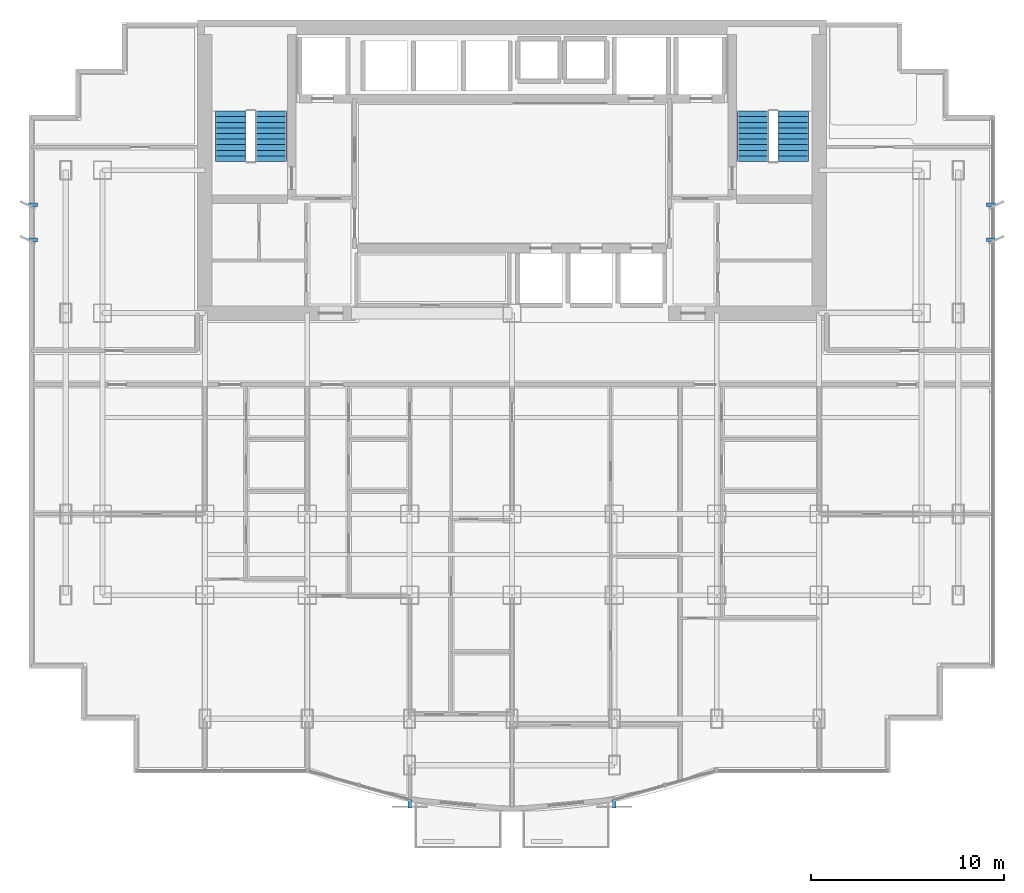
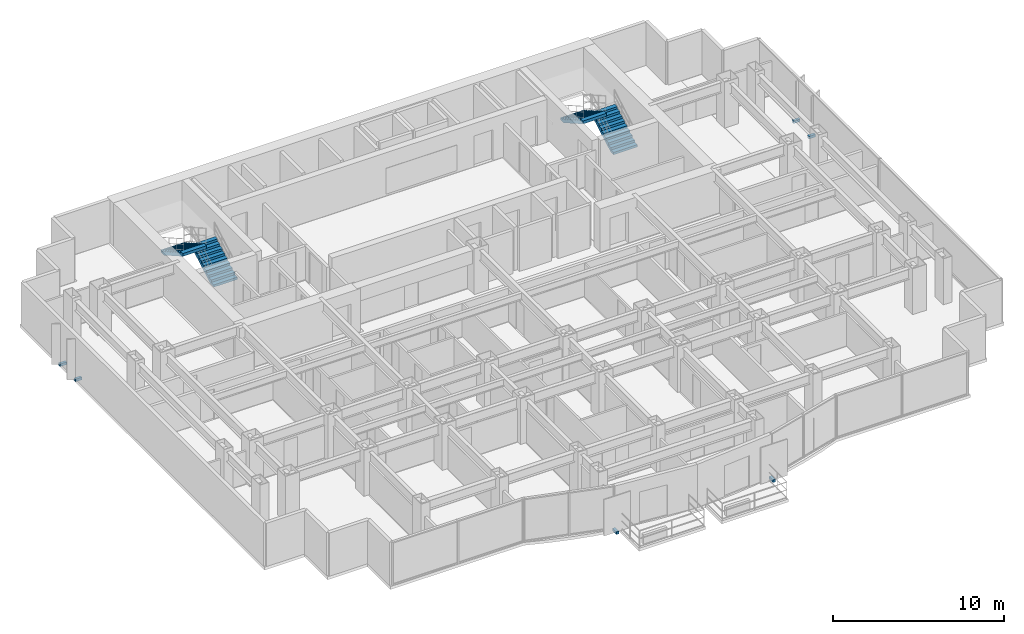
# One storey, part 10 of 12: 6 discrete accessories, 4 stair flights, 2 elements without a shape of their own.
"""IFC4 building model written with IfcOpenShell, lengths in metres."""

import ifcopenshell
import ifcopenshell.guid

model = None  # the IFC model being written
_history = None  # IfcOwnerHistory: only IFC2X3 demands one
_inside = {}  # id of a spatial element -> (the spatial element, [elements in it])
_under = {}  # id of a project, library or spatial element -> (it, [spatial elements below it])
_declared = {}  # id of a project -> (the project, [libraries it declares])
_typed = {}  # id of a type object -> (the type object, [elements of that type])
_made_of = {}  # id of a material, layer set ... -> (it, [elements and type objects made of it])


def new_model(schema):
    """Start an empty IFC model of exactly this schema.

    Asked for "IFC4X3", IfcOpenShell would pick the latest addendum, in which some entities
    have other attributes; the version numbers below select the first issue.
    IFC2X3 requires an IfcOwnerHistory on every rooted entity: one is made here for all.
    """
    global model, _history
    if schema == "IFC4X3":
        model = ifcopenshell.file(schema_version=(4, 3, 0, 0))
    else:
        model = ifcopenshell.file(schema=schema)
    _inside.clear()
    _under.clear()
    _declared.clear()
    _typed.clear()
    _made_of.clear()
    _history = None
    if model.schema == "IFC2X3":
        org = make("IfcOrganization", Name="unknown")
        user = make(
            "IfcPersonAndOrganization",
            ThePerson=make("IfcPerson", FamilyName="unknown"),
            TheOrganization=org,
        )
        app = make(
            "IfcApplication",
            ApplicationDeveloper=org,
            Version="unknown",
            ApplicationFullName="unknown",
            ApplicationIdentifier="unknown",
        )
        _history = make(
            "IfcOwnerHistory",
            OwningUser=user,
            OwningApplication=app,
            ChangeAction="ADDED",
            CreationDate=0,
        )
    return model


def make(cls, **values):
    """One entity of the class cls with the attributes given. An attribute that is None is left unset."""
    return model.create_entity(
        cls, **{name: value for name, value in values.items() if value is not None}
    )


def rooted(cls, **values):
    """An entity with a GlobalId (a new one), such as an element, a storey or a relation."""
    return make(cls, GlobalId=ifcopenshell.guid.new(), OwnerHistory=_history, **values)


def si_unit(unit_type, name, prefix=None):
    """IfcSIUnit, for example si_unit("LENGTHUNIT", "METRE", prefix="MILLI")."""
    return make("IfcSIUnit", UnitType=unit_type, Prefix=prefix, Name=name)


def assignment(units):
    """IfcUnitAssignment: the units of a project."""
    return None if units is None else make("IfcUnitAssignment", Units=units)


def point(xyz):
    """IfcCartesianPoint."""
    return None if xyz is None else make("IfcCartesianPoint", Coordinates=xyz)


def direction(xyz):
    """IfcDirection."""
    return None if xyz is None else make("IfcDirection", DirectionRatios=xyz)


def frame(location, z_axis=None, x_axis=None):
    """IfcAxis2Placement3D, a coordinate frame: its origin and axes. An axis left out is left unset."""
    return make(
        "IfcAxis2Placement3D",
        Location=point(location),
        Axis=direction(z_axis),
        RefDirection=direction(x_axis),
    )


def frame_2d(location, x_axis=None):
    """IfcAxis2Placement2D, a coordinate frame in the plane: its origin and x axis."""
    return make(
        "IfcAxis2Placement2D", Location=point(location), RefDirection=direction(x_axis)
    )


def origin():
    """The frame at (0, 0, 0) with its axes left unset."""
    return frame((0.0, 0.0, 0.0))


def origin_2d():
    """The frame at (0, 0) in the plane with its x axis left unset."""
    return frame_2d((0.0, 0.0))


def place(relative_to, where):
    """IfcLocalPlacement: puts the frame where relative to a parent placement (None: the world)."""
    return make(
        "IfcLocalPlacement", PlacementRelTo=relative_to, RelativePlacement=where
    )


def context(
    kind, dimensions, precision=None, world=None, true_north=None, identifier=None
):
    """IfcGeometricRepresentationContext, for example the 3D "Model" context."""
    return make(
        "IfcGeometricRepresentationContext",
        ContextIdentifier=identifier,
        ContextType=kind,
        CoordinateSpaceDimension=dimensions,
        Precision=precision,
        WorldCoordinateSystem=world,
        TrueNorth=true_north,
    )


def subcontext(parent, identifier, kind, view, scale=None):
    """IfcGeometricRepresentationSubContext, for example "Body" below "Model"."""
    return make(
        "IfcGeometricRepresentationSubContext",
        ContextIdentifier=identifier,
        ContextType=kind,
        ParentContext=parent,
        TargetScale=scale,
        TargetView=view,
    )


def project(units=None, contexts=None):
    """IfcProject with its units and contexts."""
    return rooted(
        "IfcProject",
        Name="project",
        RepresentationContexts=contexts,
        UnitsInContext=assignment(units),
    )


def spatial(cls, under=None, at=None, **own):
    """A site, building, storey or space (cls), placed at a placement, below another one or the project."""
    s = rooted(cls, ObjectPlacement=at, **own)
    if under is not None:
        _under.setdefault(under.id(), (under, []))[1].append(s)
    return s


def polyline(points):
    """IfcPolyline through the points."""
    return make("IfcPolyline", Points=[point(p) for p in points])


def profile(cls, at=None, kind="AREA", **sizes):
    """A parametric profile (cls). Its sizes go by their IFC names, for example OverallWidth=200.0."""
    return make(cls, ProfileType=kind, Position=at, **sizes)


def rectangle(**sizes):
    """IfcRectangleProfileDef."""
    return profile("IfcRectangleProfileDef", **sizes)


def outline(outer, holes=None, kind="AREA"):
    """IfcArbitraryClosedProfileDef: a profile drawn as a closed curve; with holes, ...WithVoids."""
    if holes is None:
        return make("IfcArbitraryClosedProfileDef", ProfileType=kind, OuterCurve=outer)
    return make(
        "IfcArbitraryProfileDefWithVoids",
        ProfileType=kind,
        OuterCurve=outer,
        InnerCurves=holes,
    )


def extrude(swept, where, along, depth):
    """IfcExtrudedAreaSolid: the profile swept, set in the frame where, extruded along a direction by depth."""
    return make(
        "IfcExtrudedAreaSolid",
        SweptArea=swept,
        Position=where,
        ExtrudedDirection=direction(along),
        Depth=depth,
    )


def shape(context_of_items, identifier, shape_type, items):
    """IfcShapeRepresentation: the items that make up one representation, for example the "Body"."""
    return make(
        "IfcShapeRepresentation",
        ContextOfItems=context_of_items,
        RepresentationIdentifier=identifier,
        RepresentationType=shape_type,
        Items=items,
    )


def source(mapping_origin, context_of_items, identifier, shape_type, items):
    """IfcRepresentationMap: a shape defined once, which mapped items show again and again."""
    return make(
        "IfcRepresentationMap",
        MappingOrigin=mapping_origin,
        MappedRepresentation=shape(context_of_items, identifier, shape_type, items),
    )


def transform(
    local_origin,
    x_axis=None,
    y_axis=None,
    z_axis=None,
    scale=None,
    scale2=None,
    scale3=None,
    uniform=True,
):
    """IfcCartesianTransformationOperator3D, or its non-uniform kind. x_axis, y_axis, z_axis: its Axis1, 2, 3."""
    if uniform:
        return make(
            "IfcCartesianTransformationOperator3D",
            Axis1=direction(x_axis),
            Axis2=direction(y_axis),
            LocalOrigin=point(local_origin),
            Scale=scale,
            Axis3=direction(z_axis),
        )
    return make(
        "IfcCartesianTransformationOperator3DnonUniform",
        Axis1=direction(x_axis),
        Axis2=direction(y_axis),
        LocalOrigin=point(local_origin),
        Scale=scale,
        Axis3=direction(z_axis),
        Scale2=scale2,
        Scale3=scale3,
    )


def mapped(mapping_source, mapping_target):
    """IfcMappedItem: shows the shape of a source again, moved by a transform."""
    return make(
        "IfcMappedItem", MappingSource=mapping_source, MappingTarget=mapping_target
    )


def material(Name=None, Category=None):
    """IfcMaterial."""
    return make("IfcMaterial", Name=Name, Category=Category)


def made_of(thing, what):
    """Note that an element or type object is made of a material, layer set ...; save() writes the relation."""
    if what is not None:
        _made_of.setdefault(what.id(), (what, []))[1].append(thing)
    return thing


def type_object(cls, material=None, **own):
    """A type object (cls), such as IfcWallType, which elements share."""
    return made_of(rooted(cls, **own), material)


def element(
    cls,
    number,
    at=None,
    inside=None,
    cuts=None,
    type_object=None,
    material=None,
    context=None,
    identifier="Body",
    shape_type=None,
    held_by="IfcProductDefinitionShape",
    body=None,
    shapes=None,
    **own,
):
    """One element of the class cls, such as IfcWall. Its Tag is "e" and its number.

    at: its placement. inside: the storey or other place that contains it. cuts: it is an
    opening in that element (IfcRelVoidsElement). A single representation is given by context,
    identifier, shape_type and body (its items); several are given by shapes. held_by: the class
    of the entity that holds the representations. save() writes the other relations.
    """
    e = rooted(cls, Tag="e%d" % number, ObjectPlacement=at, **own)
    if body is not None:
        shapes = [shape(context, identifier, shape_type, body)]
    if shapes is not None:
        e.Representation = make(held_by, Representations=shapes)
    if inside is not None:
        _inside.setdefault(inside.id(), (inside, []))[1].append(e)
    if cuts is not None:
        rooted(
            "IfcRelVoidsElement", RelatingBuildingElement=cuts, RelatedOpeningElement=e
        )
    if type_object is not None:
        _typed.setdefault(type_object.id(), (type_object, []))[1].append(e)
    return made_of(e, material)


def aggregate(whole, parts):
    """IfcRelAggregates: a whole, such as a stair, and the parts it consists of."""
    return rooted("IfcRelAggregates", RelatingObject=whole, RelatedObjects=parts)


def save(model, path):
    """Write the relations noted so far, then the file.

    IfcRelAggregates (storeys below a building ...), IfcRelContainedInSpatialStructure (elements
    in a storey), IfcRelDefinesByType, IfcRelAssociatesMaterial and IfcRelDeclares: one each for
    every whole, place, type object, material and project.
    """
    for whole, parts in _under.values():
        aggregate(whole, parts)
    for where, things in _inside.values():
        rooted(
            "IfcRelContainedInSpatialStructure",
            RelatedElements=things,
            RelatingStructure=where,
        )
    for kind, things in _typed.values():
        rooted("IfcRelDefinesByType", RelatedObjects=things, RelatingType=kind)
    for what, things in _made_of.values():
        rooted("IfcRelAssociatesMaterial", RelatedObjects=things, RelatingMaterial=what)
    for by, libraries in _declared.values():
        rooted("IfcRelDeclares", RelatingContext=by, RelatedDefinitions=libraries)
    model.write(path)


model = new_model("IFC4")

# Units and contexts
model_context = context("Model", 3, precision=1e-05, world=origin(), true_north=direction((0.0, 1.0)))
body_context = subcontext(model_context, "Body", "Model", "MODEL_VIEW")
ifc_project = project(units=[si_unit("LENGTHUNIT", "METRE"), si_unit("AREAUNIT", "SQUARE_METRE"), si_unit("VOLUMEUNIT", "CUBIC_METRE"), si_unit("PLANEANGLEUNIT", "RADIAN"), si_unit("MASSUNIT", "GRAM", prefix="KILO")], contexts=[model_context])

# Site, building, storey
site_placement = place(None, origin())
site = spatial("IfcSite", under=ifc_project, at=site_placement, CompositionType="ELEMENT")
building_placement = place(site_placement, origin())
building = spatial("IfcBuilding", under=site, at=building_placement, Name="Qianlan Lanfeng Residences", CompositionType="ELEMENT")
storey_placement = place(building_placement, frame((0.0, 0.0, 121.300048828125)))
storey = spatial("IfcBuildingStorey", under=building, at=storey_placement, Name="L33", CompositionType="ELEMENT", Elevation=121.300048828125)

# Stair, stair flights
ifc_material_1 = material(Name="Concrete C42", Category="concrete")
stair_type = type_object("IfcStairType", Name="STR-MAIN", PredefinedType="HALF_TURN_STAIR", material=ifc_material_1)
stair_1_placement = place(storey_placement, origin())
stair_1 = element("IfcStair", 1, at=stair_1_placement, inside=storey, type_object=stair_type, Name="L33 Exit Stair ST-1", PredefinedType="HALF_TURN_STAIR")
stair_flight_type = type_object("IfcStairFlightType", Name="FLT-1720", PredefinedType="STRAIGHT", material=ifc_material_1)
stair_flight_1_placement = place(storey_placement, frame((14.02001953125, 33.050048828125, 0.0), z_axis=(0.0, 0.0, 1.0), x_axis=(0.0, 1.0, 0.0)))
stair_flight_1 = element("IfcStairFlight", 2, at=stair_flight_1_placement, type_object=stair_flight_type, Name="ST-1 flight 1", NumberOfRisers=10, NumberOfTreads=9, PredefinedType="STRAIGHT", RiserHeight=0.165, TreadLength=0.29, context=body_context, shape_type="SweptSolid", body=[
    extrude(outline(polyline([(0.0, 0.0), (0.0, 0.1650390625), (0.2900390625, 0.1650390625), (0.2900390625, 0.330078125), (0.580078125, 0.330078125), (0.580078125, 0.4951171875), (0.8701171875, 0.4951171875), (0.8701171875, 0.659912109375), (1.159912109375, 0.659912109375), (1.159912109375, 0.824951171875), (1.449951171875, 0.824951171875), (1.449951171875, 0.989990234375), (1.739990234375, 0.989990234375), (1.739990234375, 1.155029296875), (2.030029296875, 1.155029296875), (2.030029296875, 1.320068359375), (2.320068359375, 1.320068359375), (2.320068359375, 1.485107421875), (2.610107421875, 1.485107421875), (2.610107421875, 1.64990234375), (2.610107421875, 1.278076171875), (0.36376953125, 0.0), (0.0, 0.0)])), frame((0.0, 0.800048828125, 0.0), z_axis=(0.0, -1.0, 0.0), x_axis=(1.0, 0.0, 0.0)), (0.0, 0.0, 1.0), 1.60009765625),
])
stair_flight_2_placement = place(storey_placement, frame((11.93994140625, 35.659912109375, 1.64990234375), z_axis=(0.0, 0.0, 1.0), x_axis=(0.0, -1.0, 0.0)))
stair_flight_2 = element("IfcStairFlight", 3, at=stair_flight_2_placement, type_object=stair_flight_type, Name="ST-1 flight 2", NumberOfRisers=10, NumberOfTreads=9, PredefinedType="STRAIGHT", RiserHeight=0.165, TreadLength=0.29, context=body_context, shape_type="SweptSolid", body=[
    extrude(outline(polyline([(0.0, 0.0), (0.0, 0.1650390625), (0.2900390625, 0.1650390625), (0.2900390625, 0.330078125), (0.580078125, 0.330078125), (0.580078125, 0.4951171875), (0.8701171875, 0.4951171875), (0.8701171875, 0.659912109375), (1.159912109375, 0.659912109375), (1.159912109375, 0.824951171875), (1.449951171875, 0.824951171875), (1.449951171875, 0.989990234375), (1.739990234375, 0.989990234375), (1.739990234375, 1.155029296875), (2.030029296875, 1.155029296875), (2.030029296875, 1.320068359375), (2.320068359375, 1.320068359375), (2.320068359375, 1.485107421875), (2.610107421875, 1.485107421875), (2.610107421875, 1.64990234375), (2.610107421875, 1.278076171875), (0.36376953125, 0.0), (0.0, 0.0)])), frame((0.0, 0.800048828125, 0.0), z_axis=(0.0, -1.0, 0.0), x_axis=(1.0, 0.0, 0.0)), (0.0, 0.0, 1.0), 1.60009765625),
])
aggregate(stair_1, [stair_flight_1, stair_flight_2])

stair_2_placement = place(storey_placement, origin())
stair_2 = element("IfcStair", 4, at=stair_2_placement, inside=storey, type_object=stair_type, Name="L33 Exit Stair ST-2", PredefinedType="HALF_TURN_STAIR")
stair_flight_3_placement = place(storey_placement, frame((41.06005859375, 33.050048828125, 0.0), z_axis=(0.0, 0.0, 1.0), x_axis=(0.0, 1.0, 0.0)))
stair_flight_3 = element("IfcStairFlight", 5, at=stair_flight_3_placement, type_object=stair_flight_type, Name="ST-2 flight 1", NumberOfRisers=10, NumberOfTreads=9, PredefinedType="STRAIGHT", RiserHeight=0.165, TreadLength=0.29, context=body_context, shape_type="SweptSolid", body=[
    extrude(outline(polyline([(0.0, 0.0), (0.0, 0.1650390625), (0.2900390625, 0.1650390625), (0.2900390625, 0.330078125), (0.580078125, 0.330078125), (0.580078125, 0.4951171875), (0.8701171875, 0.4951171875), (0.8701171875, 0.659912109375), (1.159912109375, 0.659912109375), (1.159912109375, 0.824951171875), (1.449951171875, 0.824951171875), (1.449951171875, 0.989990234375), (1.739990234375, 0.989990234375), (1.739990234375, 1.155029296875), (2.030029296875, 1.155029296875), (2.030029296875, 1.320068359375), (2.320068359375, 1.320068359375), (2.320068359375, 1.485107421875), (2.610107421875, 1.485107421875), (2.610107421875, 1.64990234375), (2.610107421875, 1.278076171875), (0.36376953125, 0.0), (0.0, 0.0)])), frame((0.0, 0.800048828125, 0.0), z_axis=(0.0, -1.0, 0.0), x_axis=(1.0, 0.0, 0.0)), (0.0, 0.0, 1.0), 1.60009765625),
])
stair_flight_4_placement = place(storey_placement, frame((38.97998046875, 35.659912109375, 1.64990234375), z_axis=(0.0, 0.0, 1.0), x_axis=(0.0, -1.0, 0.0)))
stair_flight_4 = element("IfcStairFlight", 6, at=stair_flight_4_placement, type_object=stair_flight_type, Name="ST-2 flight 2", NumberOfRisers=10, NumberOfTreads=9, PredefinedType="STRAIGHT", RiserHeight=0.165, TreadLength=0.29, context=body_context, shape_type="SweptSolid", body=[
    extrude(outline(polyline([(0.0, 0.0), (0.0, 0.1650390625), (0.2900390625, 0.1650390625), (0.2900390625, 0.330078125), (0.580078125, 0.330078125), (0.580078125, 0.4951171875), (0.8701171875, 0.4951171875), (0.8701171875, 0.659912109375), (1.159912109375, 0.659912109375), (1.159912109375, 0.824951171875), (1.449951171875, 0.824951171875), (1.449951171875, 0.989990234375), (1.739990234375, 0.989990234375), (1.739990234375, 1.155029296875), (2.030029296875, 1.155029296875), (2.030029296875, 1.320068359375), (2.320068359375, 1.320068359375), (2.320068359375, 1.485107421875), (2.610107421875, 1.485107421875), (2.610107421875, 1.64990234375), (2.610107421875, 1.278076171875), (0.36376953125, 0.0), (0.0, 0.0)])), frame((0.0, 0.800048828125, 0.0), z_axis=(0.0, -1.0, 0.0), x_axis=(1.0, 0.0, 0.0)), (0.0, 0.0, 1.0), 1.60009765625),
])
aggregate(stair_2, [stair_flight_3, stair_flight_4])

# Discrete accessories
ifc_material_2 = material(Name="Stainless Steel Facade Bracket", Category="steel")
discrete_accessory_type = type_object("IfcDiscreteAccessoryType", Name="BRK-SS-350", PredefinedType="BRACKET", material=ifc_material_2)
shared_shape_1 = source(origin(), body_context, "Body", "SweptSolid", [
    extrude(rectangle(XDim=0.179931640625, YDim=0.449951171875, at=origin_2d()), origin(), (0.0, 0.0, 1.0), 0.179931640625),
])
for number, where, z_axis, x_axis, name in (
    (7, (21.199951171875, -0.199951171875, -0.14990234375), (0.0, 0.0, 1.0), (1.0, 0.0, 0.0), "L33 Solar Screen Support Bracket 1"),
    (8, (31.800048828125, -0.199951171875, -0.14990234375), (0.0, 0.0, 1.0), (1.0, 0.0, 0.0), "L33 Solar Screen Support Bracket 2"),
):
    element("IfcDiscreteAccessory", number, at=place(storey_placement, frame(where, z_axis=z_axis, x_axis=x_axis)), inside=storey, type_object=discrete_accessory_type, Name=name, PredefinedType="BRACKET", context=body_context, shape_type="MappedRepresentation", body=[
        mapped(shared_shape_1, transform((0.0, 0.0, 0.0), scale=1.0)),
    ])
shared_shape_2 = source(origin(), body_context, "Body", "SweptSolid", [
    extrude(rectangle(XDim=0.449951171875, YDim=0.179931640625, at=origin_2d()), origin(), (0.0, 0.0, 1.0), 0.179931640625),
])
for number, where, z_axis, x_axis, name in (
    (9, (1.699951171875, 29.0, -0.14990234375), (0.0, 0.0, 1.0), (1.0, 0.0, 0.0), "L33 Raked Solar Fin Support Bracket W1"),
    (10, (1.699951171875, 30.800048828125, -0.14990234375), (0.0, 0.0, 1.0), (1.0, 0.0, 0.0), "L33 Raked Solar Fin Support Bracket W2"),
    (11, (51.300048828125, 29.0, -0.14990234375), (0.0, 0.0, 1.0), (1.0, 0.0, 0.0), "L33 Raked Solar Fin Support Bracket E1"),
    (12, (51.300048828125, 30.800048828125, -0.14990234375), (0.0, 0.0, 1.0), (1.0, 0.0, 0.0), "L33 Raked Solar Fin Support Bracket E2"),
):
    element("IfcDiscreteAccessory", number, at=place(storey_placement, frame(where, z_axis=z_axis, x_axis=x_axis)), inside=storey, type_object=discrete_accessory_type, Name=name, PredefinedType="BRACKET", context=body_context, shape_type="MappedRepresentation", body=[
        mapped(shared_shape_2, transform((0.0, 0.0, 0.0), scale=1.0)),
    ])

save(model, "model.ifc")
